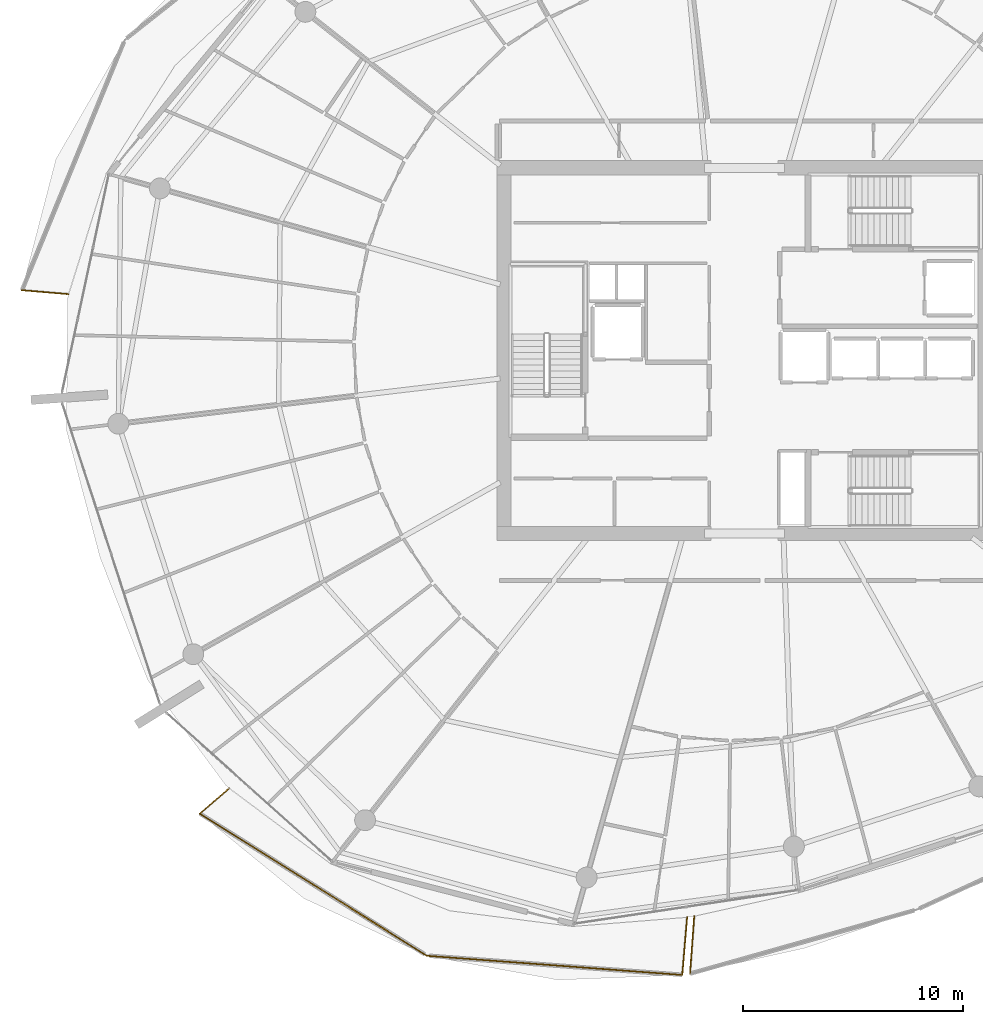
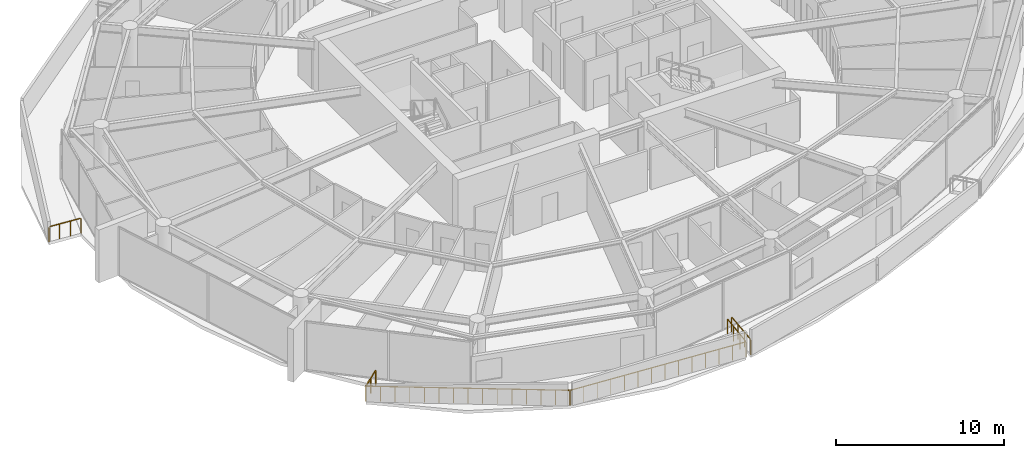
# One storey, part 24 of 30: 6 railings.
"""IFC4 building model written with IfcOpenShell, lengths in metres."""

from ifc_helpers import new_model, si_unit, direction, frame, origin, origin_2d, place, context, subcontext, project, spatial, rectangle, extrude, material, type_object, element, save


model = new_model("IFC4")

# Units and contexts
model_context = context("Model", 3, precision=1e-05, world=origin(), true_north=direction((0.0, 1.0)))
body_context = subcontext(model_context, "Body", "Model", "MODEL_VIEW")
ifc_project = project(units=[si_unit("LENGTHUNIT", "METRE"), si_unit("AREAUNIT", "SQUARE_METRE"), si_unit("VOLUMEUNIT", "CUBIC_METRE"), si_unit("PLANEANGLEUNIT", "RADIAN"), si_unit("MASSUNIT", "GRAM", prefix="KILO")], contexts=[model_context])

# Site, building, storey
site_placement = place(None, origin())
site = spatial("IfcSite", under=ifc_project, at=site_placement, CompositionType="ELEMENT")
building_placement = place(site_placement, origin())
building = spatial("IfcBuilding", under=site, at=building_placement, Name="Kazma Halo Residences", CompositionType="ELEMENT")
storey_placement = place(building_placement, frame((0.0, 0.0, 267.5)))
storey = spatial("IfcBuildingStorey", under=building, at=storey_placement, Name="L67", CompositionType="ELEMENT", Elevation=267.5)

# Railings
ifc_material = material(Name="Aluminium AW-6063 T6 Brushed Cap Rail", Category="aluminium")
railing_type = type_object("IfcRailingType", Name="RLG-BAL-CAP-1120", PredefinedType="BALUSTRADE", material=ifc_material)
railing_1_placement = place(storey_placement, frame((15.527099609375, 44.75537109375, 0.0)))
element("IfcRailing", 1, at=railing_1_placement, inside=storey, type_object=railing_type, Name="L67 NW wave balcony guard 4", PredefinedType="BALUSTRADE", context=body_context, shape_type="SweptSolid", body=[
    extrude(rectangle(XDim=0.050048828125, YDim=0.050048828125, at=origin_2d()), frame((0.04248046875, -0.003662109375, 1.09521484375), z_axis=(0.99641734676, -0.084572283141, 0.0), x_axis=(0.084572283141, 0.99641734676, 0.0)), (0.0, 0.0, 1.0), 2.04541015625),
    extrude(rectangle(XDim=0.0400390625, YDim=0.0400390625, at=origin_2d()), origin(), (0.0, 0.0, 1.0), 1.05810546875),
    extrude(rectangle(XDim=0.0400390625, YDim=0.0400390625, at=origin_2d()), frame((0.70751953125, -0.06005859375, 0.0)), (0.0, 0.0, 1.0), 1.05810546875),
    extrude(rectangle(XDim=0.0400390625, YDim=0.0400390625, at=origin_2d()), frame((1.415283203125, -0.1201171875, 0.0)), (0.0, 0.0, 1.0), 1.05810546875),
    extrude(rectangle(XDim=0.0400390625, YDim=0.0400390625, at=origin_2d()), frame((2.122802734375, -0.18017578125, 0.0)), (0.0, 0.0, 1.0), 1.05810546875),
])
railing_2_placement = place(storey_placement, frame((24.9599609375, 22.0771484375, 0.0)))
element("IfcRailing", 2, at=railing_2_placement, inside=storey, type_object=railing_type, Name="L67 SW wave balcony guard 1", PredefinedType="BALUSTRADE", context=body_context, shape_type="SweptSolid", body=[
    extrude(rectangle(XDim=0.050048828125, YDim=0.050048828125, at=origin_2d()), frame((-0.0322265625, -0.02783203125, 1.09521484375), z_axis=(-0.756439222674, -0.65406398953, 0.0), x_axis=(0.65406398953, -0.756439222674, 0.0)), (0.0, 0.0, 1.0), 1.6748046875),
    extrude(rectangle(XDim=0.0400390625, YDim=0.0400390625, at=origin_2d()), origin(), (0.0, 0.0, 1.0), 1.05810546875),
    extrude(rectangle(XDim=0.0400390625, YDim=0.0400390625, at=origin_2d()), frame((-0.66552734375, -0.57568359375, 0.0)), (0.0, 0.0, 1.0), 1.05810546875),
    extrude(rectangle(XDim=0.0400390625, YDim=0.0400390625, at=origin_2d()), frame((-1.331298828125, -1.151123046875, 0.0)), (0.0, 0.0, 1.0), 1.05810546875),
])
railing_3_placement = place(storey_placement, frame((23.628662109375, 20.926025390625, 0.0)))
element("IfcRailing", 3, at=railing_3_placement, inside=storey, type_object=railing_type, Name="L67 SW wave balcony guard 2", PredefinedType="BALUSTRADE", context=body_context, shape_type="SweptSolid", body=[
    extrude(rectangle(XDim=0.050048828125, YDim=0.050048828125, at=origin_2d()), frame((0.0361328125, -0.0224609375, 1.09521484375), z_axis=(0.847746265353, -0.530401988664, 0.0), x_axis=(0.530401988664, 0.847746265353, 0.0)), (0.0, 0.0, 1.0), 12.109375),
    extrude(rectangle(XDim=0.0400390625, YDim=0.0400390625, at=origin_2d()), origin(), (0.0, 0.0, 1.0), 1.05810546875),
    extrude(rectangle(XDim=0.0400390625, YDim=0.0400390625, at=origin_2d()), frame((0.738525390625, -0.4619140625, 0.0)), (0.0, 0.0, 1.0), 1.05810546875),
    extrude(rectangle(XDim=0.0400390625, YDim=0.0400390625, at=origin_2d()), frame((1.476806640625, -0.924072265625, 0.0)), (0.0, 0.0, 1.0), 1.05810546875),
    extrude(rectangle(XDim=0.0400390625, YDim=0.0400390625, at=origin_2d()), frame((2.21533203125, -1.385986328125, 0.0)), (0.0, 0.0, 1.0), 1.05810546875),
    extrude(rectangle(XDim=0.0400390625, YDim=0.0400390625, at=origin_2d()), frame((2.95361328125, -1.847900390625, 0.0)), (0.0, 0.0, 1.0), 1.05810546875),
    extrude(rectangle(XDim=0.0400390625, YDim=0.0400390625, at=origin_2d()), frame((3.692138671875, -2.31005859375, 0.0)), (0.0, 0.0, 1.0), 1.05810546875),
    extrude(rectangle(XDim=0.0400390625, YDim=0.0400390625, at=origin_2d()), frame((4.430419921875, -2.77197265625, 0.0)), (0.0, 0.0, 1.0), 1.05810546875),
    extrude(rectangle(XDim=0.0400390625, YDim=0.0400390625, at=origin_2d()), frame((5.1689453125, -3.23388671875, 0.0)), (0.0, 0.0, 1.0), 1.05810546875),
    extrude(rectangle(XDim=0.0400390625, YDim=0.0400390625, at=origin_2d()), frame((5.907470703125, -3.696044921875, 0.0)), (0.0, 0.0, 1.0), 1.05810546875),
    extrude(rectangle(XDim=0.0400390625, YDim=0.0400390625, at=origin_2d()), frame((6.645751953125, -4.157958984375, 0.0)), (0.0, 0.0, 1.0), 1.05810546875),
    extrude(rectangle(XDim=0.0400390625, YDim=0.0400390625, at=origin_2d()), frame((7.38427734375, -4.6201171875, 0.0)), (0.0, 0.0, 1.0), 1.05810546875),
    extrude(rectangle(XDim=0.0400390625, YDim=0.0400390625, at=origin_2d()), frame((8.12255859375, -5.08203125, 0.0)), (0.0, 0.0, 1.0), 1.05810546875),
    extrude(rectangle(XDim=0.0400390625, YDim=0.0400390625, at=origin_2d()), frame((8.861083984375, -5.5439453125, 0.0)), (0.0, 0.0, 1.0), 1.05810546875),
    extrude(rectangle(XDim=0.0400390625, YDim=0.0400390625, at=origin_2d()), frame((9.599365234375, -6.006103515625, 0.0)), (0.0, 0.0, 1.0), 1.05810546875),
    extrude(rectangle(XDim=0.0400390625, YDim=0.0400390625, at=origin_2d()), frame((10.337890625, -6.468017578125, 0.0)), (0.0, 0.0, 1.0), 1.05810546875),
])
railing_4_placement = place(storey_placement, frame((33.966552734375, 14.4580078125, 0.0)))
element("IfcRailing", 4, at=railing_4_placement, inside=storey, type_object=railing_type, Name="L67 SW wave balcony guard 3", PredefinedType="BALUSTRADE", context=body_context, shape_type="SweptSolid", body=[
    extrude(rectangle(XDim=0.050048828125, YDim=0.050048828125, at=origin_2d()), frame((0.04248046875, -0.003173828125, 1.09521484375), z_axis=(0.997192197281, -0.074884722625, 0.0), x_axis=(0.074884722625, 0.997192197281, 0.0)), (0.0, 0.0, 1.0), 11.5703125),
    extrude(rectangle(XDim=0.0400390625, YDim=0.0400390625, at=origin_2d()), origin(), (0.0, 0.0, 1.0), 1.05810546875),
    extrude(rectangle(XDim=0.0400390625, YDim=0.0400390625, at=origin_2d()), frame((0.89404296875, -0.067138671875, 0.0)), (0.0, 0.0, 1.0), 1.05810546875),
    extrude(rectangle(XDim=0.0400390625, YDim=0.0400390625, at=origin_2d()), frame((1.7880859375, -0.13427734375, 0.0)), (0.0, 0.0, 1.0), 1.05810546875),
    extrude(rectangle(XDim=0.0400390625, YDim=0.0400390625, at=origin_2d()), frame((2.68212890625, -0.201416015625, 0.0)), (0.0, 0.0, 1.0), 1.05810546875),
    extrude(rectangle(XDim=0.0400390625, YDim=0.0400390625, at=origin_2d()), frame((3.576171875, -0.2685546875, 0.0)), (0.0, 0.0, 1.0), 1.05810546875),
    extrude(rectangle(XDim=0.0400390625, YDim=0.0400390625, at=origin_2d()), frame((4.47021484375, -0.335693359375, 0.0)), (0.0, 0.0, 1.0), 1.05810546875),
    extrude(rectangle(XDim=0.0400390625, YDim=0.0400390625, at=origin_2d()), frame((5.3642578125, -0.40283203125, 0.0)), (0.0, 0.0, 1.0), 1.05810546875),
    extrude(rectangle(XDim=0.0400390625, YDim=0.0400390625, at=origin_2d()), frame((6.25830078125, -0.469970703125, 0.0)), (0.0, 0.0, 1.0), 1.05810546875),
    extrude(rectangle(XDim=0.0400390625, YDim=0.0400390625, at=origin_2d()), frame((7.15234375, -0.537109375, 0.0)), (0.0, 0.0, 1.0), 1.05810546875),
    extrude(rectangle(XDim=0.0400390625, YDim=0.0400390625, at=origin_2d()), frame((8.04638671875, -0.604248046875, 0.0)), (0.0, 0.0, 1.0), 1.05810546875),
    extrude(rectangle(XDim=0.0400390625, YDim=0.0400390625, at=origin_2d()), frame((8.9404296875, -0.67138671875, 0.0)), (0.0, 0.0, 1.0), 1.05810546875),
    extrude(rectangle(XDim=0.0400390625, YDim=0.0400390625, at=origin_2d()), frame((9.83447265625, -0.738525390625, 0.0)), (0.0, 0.0, 1.0), 1.05810546875),
    extrude(rectangle(XDim=0.0400390625, YDim=0.0400390625, at=origin_2d()), frame((10.728515625, -0.8056640625, 0.0)), (0.0, 0.0, 1.0), 1.05810546875),
    extrude(rectangle(XDim=0.0400390625, YDim=0.0400390625, at=origin_2d()), frame((11.62255859375, -0.872802734375, 0.0)), (0.0, 0.0, 1.0), 1.05810546875),
])
railing_5_placement = place(storey_placement, frame((45.589111328125, 13.585205078125, 0.0)))
element("IfcRailing", 5, at=railing_5_placement, inside=storey, type_object=railing_type, Name="L67 SW wave balcony guard 4", PredefinedType="BALUSTRADE", context=body_context, shape_type="SweptSolid", body=[
    extrude(rectangle(XDim=0.050048828125, YDim=0.050048828125, at=origin_2d()), frame((0.003662109375, 0.04248046875, 1.09521484375), z_axis=(0.084474319693, 0.996425656691, 0.0), x_axis=(-0.996425656691, 0.084474319693, 0.0)), (0.0, 0.0, 1.0), 2.544921875),
    extrude(rectangle(XDim=0.0400390625, YDim=0.0400390625, at=origin_2d()), origin(), (0.0, 0.0, 1.0), 1.05810546875),
    extrude(rectangle(XDim=0.0400390625, YDim=0.0400390625, at=origin_2d()), frame((0.073974609375, 0.87353515625, 0.0)), (0.0, 0.0, 1.0), 1.05810546875),
    extrude(rectangle(XDim=0.0400390625, YDim=0.0400390625, at=origin_2d()), frame((0.148193359375, 1.7470703125, 0.0)), (0.0, 0.0, 1.0), 1.05810546875),
    extrude(rectangle(XDim=0.0400390625, YDim=0.0400390625, at=origin_2d()), frame((0.22216796875, 2.62060546875, 0.0)), (0.0, 0.0, 1.0), 1.05810546875),
])
railing_6_placement = place(storey_placement, frame((46.1318359375, 16.25390625, 0.0)))
element("IfcRailing", 6, at=railing_6_placement, inside=storey, type_object=railing_type, Name="L67 SSE wave balcony guard 1", PredefinedType="BALUSTRADE", context=body_context, shape_type="SweptSolid", body=[
    extrude(rectangle(XDim=0.050048828125, YDim=0.050048828125, at=origin_2d()), frame((-0.003173828125, -0.04248046875, 1.09521484375), z_axis=(-0.072350681642, -0.997379255282, 0.0), x_axis=(0.997379255282, -0.072350681642, 0.0)), (0.0, 0.0, 1.0), 2.540283203125),
    extrude(rectangle(XDim=0.0400390625, YDim=0.0400390625, at=origin_2d()), origin(), (0.0, 0.0, 1.0), 1.05810546875),
    extrude(rectangle(XDim=0.0400390625, YDim=0.0400390625, at=origin_2d()), frame((-0.063232421875, -0.872802734375, 0.0)), (0.0, 0.0, 1.0), 1.05810546875),
    extrude(rectangle(XDim=0.0400390625, YDim=0.0400390625, at=origin_2d()), frame((-0.126708984375, -1.74560546875, 0.0)), (0.0, 0.0, 1.0), 1.05810546875),
    extrude(rectangle(XDim=0.0400390625, YDim=0.0400390625, at=origin_2d()), frame((-0.18994140625, -2.618408203125, 0.0)), (0.0, 0.0, 1.0), 1.05810546875),
])

save(model, "model.ifc")
